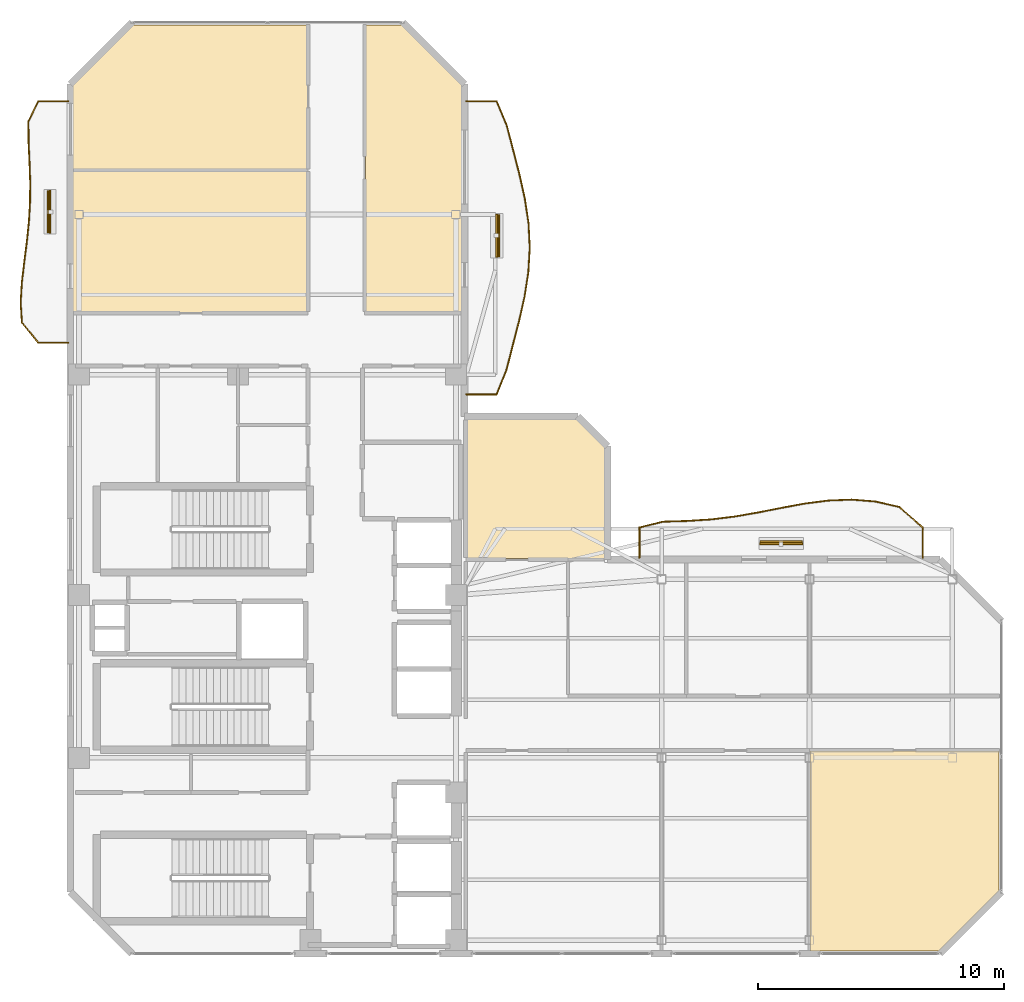
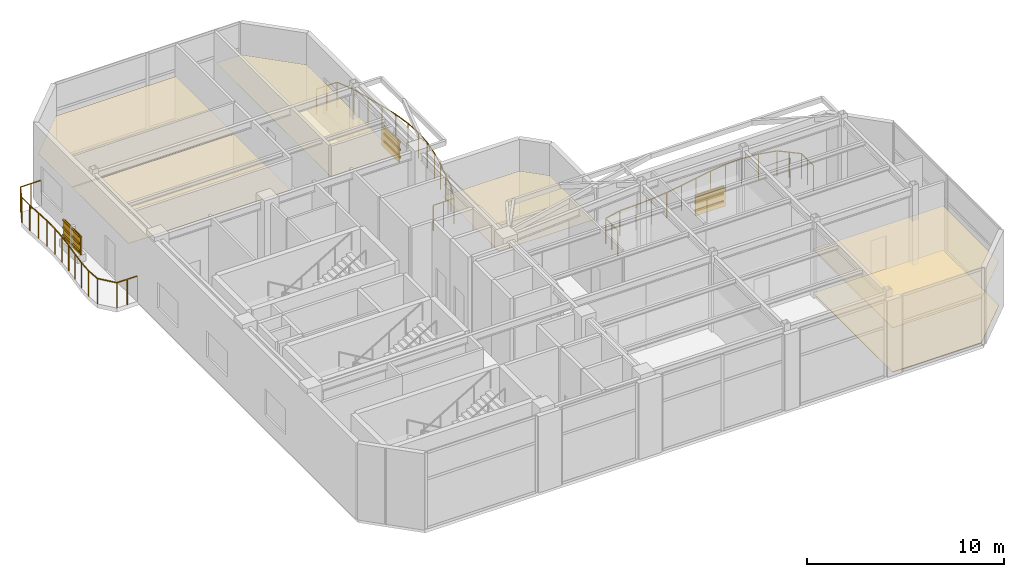
# One storey, part 15 of 15: 12 shading devices, 6 coverings, 3 railings.
"""IFC4 building model written with IfcOpenShell, lengths in metres."""

import ifcopenshell
import ifcopenshell.guid

model = None  # the IFC model being written
_history = None  # IfcOwnerHistory: only IFC2X3 demands one
_inside = {}  # id of a spatial element -> (the spatial element, [elements in it])
_under = {}  # id of a project, library or spatial element -> (it, [spatial elements below it])
_declared = {}  # id of a project -> (the project, [libraries it declares])
_typed = {}  # id of a type object -> (the type object, [elements of that type])
_made_of = {}  # id of a material, layer set ... -> (it, [elements and type objects made of it])


def new_model(schema):
    """Start an empty IFC model of exactly this schema.

    Asked for "IFC4X3", IfcOpenShell would pick the latest addendum, in which some entities
    have other attributes; the version numbers below select the first issue.
    IFC2X3 requires an IfcOwnerHistory on every rooted entity: one is made here for all.
    """
    global model, _history
    if schema == "IFC4X3":
        model = ifcopenshell.file(schema_version=(4, 3, 0, 0))
    else:
        model = ifcopenshell.file(schema=schema)
    _inside.clear()
    _under.clear()
    _declared.clear()
    _typed.clear()
    _made_of.clear()
    _history = None
    if model.schema == "IFC2X3":
        org = make("IfcOrganization", Name="unknown")
        user = make(
            "IfcPersonAndOrganization",
            ThePerson=make("IfcPerson", FamilyName="unknown"),
            TheOrganization=org,
        )
        app = make(
            "IfcApplication",
            ApplicationDeveloper=org,
            Version="unknown",
            ApplicationFullName="unknown",
            ApplicationIdentifier="unknown",
        )
        _history = make(
            "IfcOwnerHistory",
            OwningUser=user,
            OwningApplication=app,
            ChangeAction="ADDED",
            CreationDate=0,
        )
    return model


def make(cls, **values):
    """One entity of the class cls with the attributes given. An attribute that is None is left unset."""
    return model.create_entity(
        cls, **{name: value for name, value in values.items() if value is not None}
    )


def rooted(cls, **values):
    """An entity with a GlobalId (a new one), such as an element, a storey or a relation."""
    return make(cls, GlobalId=ifcopenshell.guid.new(), OwnerHistory=_history, **values)


def si_unit(unit_type, name, prefix=None):
    """IfcSIUnit, for example si_unit("LENGTHUNIT", "METRE", prefix="MILLI")."""
    return make("IfcSIUnit", UnitType=unit_type, Prefix=prefix, Name=name)


def assignment(units):
    """IfcUnitAssignment: the units of a project."""
    return None if units is None else make("IfcUnitAssignment", Units=units)


def point(xyz):
    """IfcCartesianPoint."""
    return None if xyz is None else make("IfcCartesianPoint", Coordinates=xyz)


def direction(xyz):
    """IfcDirection."""
    return None if xyz is None else make("IfcDirection", DirectionRatios=xyz)


def frame(location, z_axis=None, x_axis=None):
    """IfcAxis2Placement3D, a coordinate frame: its origin and axes. An axis left out is left unset."""
    return make(
        "IfcAxis2Placement3D",
        Location=point(location),
        Axis=direction(z_axis),
        RefDirection=direction(x_axis),
    )


def frame_2d(location, x_axis=None):
    """IfcAxis2Placement2D, a coordinate frame in the plane: its origin and x axis."""
    return make(
        "IfcAxis2Placement2D", Location=point(location), RefDirection=direction(x_axis)
    )


def origin():
    """The frame at (0, 0, 0) with its axes left unset."""
    return frame((0.0, 0.0, 0.0))


def origin_2d():
    """The frame at (0, 0) in the plane with its x axis left unset."""
    return frame_2d((0.0, 0.0))


def place(relative_to, where):
    """IfcLocalPlacement: puts the frame where relative to a parent placement (None: the world)."""
    return make(
        "IfcLocalPlacement", PlacementRelTo=relative_to, RelativePlacement=where
    )


def context(
    kind, dimensions, precision=None, world=None, true_north=None, identifier=None
):
    """IfcGeometricRepresentationContext, for example the 3D "Model" context."""
    return make(
        "IfcGeometricRepresentationContext",
        ContextIdentifier=identifier,
        ContextType=kind,
        CoordinateSpaceDimension=dimensions,
        Precision=precision,
        WorldCoordinateSystem=world,
        TrueNorth=true_north,
    )


def subcontext(parent, identifier, kind, view, scale=None):
    """IfcGeometricRepresentationSubContext, for example "Body" below "Model"."""
    return make(
        "IfcGeometricRepresentationSubContext",
        ContextIdentifier=identifier,
        ContextType=kind,
        ParentContext=parent,
        TargetScale=scale,
        TargetView=view,
    )


def project(units=None, contexts=None):
    """IfcProject with its units and contexts."""
    return rooted(
        "IfcProject",
        Name="project",
        RepresentationContexts=contexts,
        UnitsInContext=assignment(units),
    )


def spatial(cls, under=None, at=None, **own):
    """A site, building, storey or space (cls), placed at a placement, below another one or the project."""
    s = rooted(cls, ObjectPlacement=at, **own)
    if under is not None:
        _under.setdefault(under.id(), (under, []))[1].append(s)
    return s


def polyline(points):
    """IfcPolyline through the points."""
    return make("IfcPolyline", Points=[point(p) for p in points])


def profile(cls, at=None, kind="AREA", **sizes):
    """A parametric profile (cls). Its sizes go by their IFC names, for example OverallWidth=200.0."""
    return make(cls, ProfileType=kind, Position=at, **sizes)


def rectangle(**sizes):
    """IfcRectangleProfileDef."""
    return profile("IfcRectangleProfileDef", **sizes)


def outline(outer, holes=None, kind="AREA"):
    """IfcArbitraryClosedProfileDef: a profile drawn as a closed curve; with holes, ...WithVoids."""
    if holes is None:
        return make("IfcArbitraryClosedProfileDef", ProfileType=kind, OuterCurve=outer)
    return make(
        "IfcArbitraryProfileDefWithVoids",
        ProfileType=kind,
        OuterCurve=outer,
        InnerCurves=holes,
    )


def extrude(swept, where, along, depth):
    """IfcExtrudedAreaSolid: the profile swept, set in the frame where, extruded along a direction by depth."""
    return make(
        "IfcExtrudedAreaSolid",
        SweptArea=swept,
        Position=where,
        ExtrudedDirection=direction(along),
        Depth=depth,
    )


def shape(context_of_items, identifier, shape_type, items):
    """IfcShapeRepresentation: the items that make up one representation, for example the "Body"."""
    return make(
        "IfcShapeRepresentation",
        ContextOfItems=context_of_items,
        RepresentationIdentifier=identifier,
        RepresentationType=shape_type,
        Items=items,
    )


def material(Name=None, Category=None):
    """IfcMaterial."""
    return make("IfcMaterial", Name=Name, Category=Category)


def layer(
    of_material, thickness, ventilated=None, Name=None, Category=None, Priority=None
):
    """IfcMaterialLayer: one layer of a wall or slab, of a material (None: an air gap)."""
    return make(
        "IfcMaterialLayer",
        Material=of_material,
        LayerThickness=thickness,
        IsVentilated=ventilated,
        Name=Name,
        Category=Category,
        Priority=Priority,
    )


def layer_set(layers, Name=None):
    """IfcMaterialLayerSet."""
    return make("IfcMaterialLayerSet", MaterialLayers=layers, LayerSetName=Name)


def material_profile(
    of_material, cross_section, Name=None, Category=None, Priority=None
):
    """IfcMaterialProfile: a cross section and its material."""
    return make(
        "IfcMaterialProfile",
        Name=Name,
        Material=of_material,
        Profile=cross_section,
        Priority=Priority,
        Category=Category,
    )


def profile_set(profiles, Name=None, composite=None):
    """IfcMaterialProfileSet."""
    return make(
        "IfcMaterialProfileSet",
        Name=Name,
        MaterialProfiles=profiles,
        CompositeProfile=composite,
    )


def made_of(thing, what):
    """Note that an element or type object is made of a material, layer set ...; save() writes the relation."""
    if what is not None:
        _made_of.setdefault(what.id(), (what, []))[1].append(thing)
    return thing


def type_object(cls, material=None, **own):
    """A type object (cls), such as IfcWallType, which elements share."""
    return made_of(rooted(cls, **own), material)


def element(
    cls,
    number,
    at=None,
    inside=None,
    cuts=None,
    type_object=None,
    material=None,
    context=None,
    identifier="Body",
    shape_type=None,
    held_by="IfcProductDefinitionShape",
    body=None,
    shapes=None,
    **own,
):
    """One element of the class cls, such as IfcWall. Its Tag is "e" and its number.

    at: its placement. inside: the storey or other place that contains it. cuts: it is an
    opening in that element (IfcRelVoidsElement). A single representation is given by context,
    identifier, shape_type and body (its items); several are given by shapes. held_by: the class
    of the entity that holds the representations. save() writes the other relations.
    """
    e = rooted(cls, Tag="e%d" % number, ObjectPlacement=at, **own)
    if body is not None:
        shapes = [shape(context, identifier, shape_type, body)]
    if shapes is not None:
        e.Representation = make(held_by, Representations=shapes)
    if inside is not None:
        _inside.setdefault(inside.id(), (inside, []))[1].append(e)
    if cuts is not None:
        rooted(
            "IfcRelVoidsElement", RelatingBuildingElement=cuts, RelatedOpeningElement=e
        )
    if type_object is not None:
        _typed.setdefault(type_object.id(), (type_object, []))[1].append(e)
    return made_of(e, material)


def aggregate(whole, parts):
    """IfcRelAggregates: a whole, such as a stair, and the parts it consists of."""
    return rooted("IfcRelAggregates", RelatingObject=whole, RelatedObjects=parts)


def save(model, path):
    """Write the relations noted so far, then the file.

    IfcRelAggregates (storeys below a building ...), IfcRelContainedInSpatialStructure (elements
    in a storey), IfcRelDefinesByType, IfcRelAssociatesMaterial and IfcRelDeclares: one each for
    every whole, place, type object, material and project.
    """
    for whole, parts in _under.values():
        aggregate(whole, parts)
    for where, things in _inside.values():
        rooted(
            "IfcRelContainedInSpatialStructure",
            RelatedElements=things,
            RelatingStructure=where,
        )
    for kind, things in _typed.values():
        rooted("IfcRelDefinesByType", RelatedObjects=things, RelatingType=kind)
    for what, things in _made_of.values():
        rooted("IfcRelAssociatesMaterial", RelatedObjects=things, RelatingMaterial=what)
    for by, libraries in _declared.values():
        rooted("IfcRelDeclares", RelatingContext=by, RelatedDefinitions=libraries)
    model.write(path)


model = new_model("IFC4")

# Units and contexts
model_context = context("Model", 3, precision=1e-05, world=origin(), true_north=direction((0.0, 1.0)))
body_context = subcontext(model_context, "Body", "Model", "MODEL_VIEW")
ifc_project = project(units=[si_unit("LENGTHUNIT", "METRE"), si_unit("AREAUNIT", "SQUARE_METRE"), si_unit("VOLUMEUNIT", "CUBIC_METRE"), si_unit("PLANEANGLEUNIT", "RADIAN"), si_unit("MASSUNIT", "GRAM", prefix="KILO")], contexts=[model_context])

# Site, building, storey
site_placement = place(None, origin())
site = spatial("IfcSite", under=ifc_project, at=site_placement, CompositionType="ELEMENT")
building_placement = place(site_placement, origin())
building = spatial("IfcBuilding", under=site, at=building_placement, Name="Mawjaban Terraces University", CompositionType="ELEMENT")
storey_placement = place(building_placement, frame((0.0, 0.0, 306.699951171875)))
storey = spatial("IfcBuildingStorey", under=building, at=storey_placement, Name="L75", CompositionType="ELEMENT", Elevation=306.699951171875)

# Coverings
ifc_material_1 = material(Name="Acoustic mineral fibre ceiling tile", Category="masonry")
ifc_layer_1 = layer(ifc_material_1, 0.02001953125)
ifc_layer_set_1 = layer_set([ifc_layer_1], Name="Acoustic mineral fibre ceiling tile")
covering_type_1 = type_object("IfcCoveringType", Name="AcousticMineralCeiling_20", PredefinedType="CEILING", material=ifc_layer_set_1)
covering_1_placement = place(storey_placement, frame((0.0, 0.0, 2.75)))
element("IfcCovering", 1, at=covering_1_placement, inside=storey, type_object=covering_type_1, Name="L75 Panoramic Mecca Horizon Lookout Hall Acoustic Ceiling", PredefinedType="CEILING", context=body_context, shape_type="SweptSolid", body=[
    extrude(outline(polyline([(52.030029296875, 8.219970703125), (52.030029296875, 0.114990234375), (57.2529296875, 0.114990234375), (59.68505859375, 2.547119140625), (59.68505859375, 8.219970703125), (52.030029296875, 8.219970703125)])), origin(), (0.0, 0.0, 1.0), 0.02001953125),
])
covering_2_placement = place(storey_placement, frame((0.0, 0.0, 2.75)))
element("IfcCovering", 2, at=covering_2_placement, inside=storey, type_object=covering_type_1, Name="L75 Courtyard Viewpoint Study Gallery Acoustic Ceiling", PredefinedType="CEILING", context=body_context, shape_type="SweptSolid", body=[
    extrude(outline(polyline([(43.68505859375, 16.030029296875), (43.68505859375, 20.552978515625), (42.552978515625, 21.68505859375), (38.080078125, 21.68505859375), (38.080078125, 16.030029296875), (43.68505859375, 16.030029296875)])), origin(), (0.0, 0.0, 1.0), 0.02001953125),
])
covering_3_placement = place(storey_placement, frame((0.0, 0.0, 2.75)))
element("IfcCovering", 3, at=covering_3_placement, inside=storey, type_object=covering_type_1, Name="L75 Mecca Urbanism Exhibition Hall 1 Acoustic Ceiling", PredefinedType="CEILING", context=body_context, shape_type="SweptSolid", body=[
    extrude(outline(polyline([(22.114990234375, 31.77001953125), (22.114990234375, 26.030029296875), (31.6201171875, 26.030029296875), (31.6201171875, 31.77001953125), (22.114990234375, 31.77001953125)])), origin(), (0.0, 0.0, 1.0), 0.02001953125),
])
covering_4_placement = place(storey_placement, frame((0.0, 0.0, 2.75)))
element("IfcCovering", 4, at=covering_4_placement, inside=storey, type_object=covering_type_1, Name="L75 Architecture Heritage Gallery 2 Acoustic Ceiling", PredefinedType="CEILING", context=body_context, shape_type="SweptSolid", body=[
    extrude(outline(polyline([(31.6201171875, 37.68505859375), (24.547119140625, 37.68505859375), (22.114990234375, 35.2529296875), (22.114990234375, 31.830078125), (31.6201171875, 31.830078125), (31.6201171875, 37.68505859375)])), origin(), (0.0, 0.0, 1.0), 0.02001953125),
])
covering_5_placement = place(storey_placement, frame((0.0, 0.0, 2.75)))
element("IfcCovering", 5, at=covering_5_placement, inside=storey, type_object=covering_type_1, Name="L75 Observatory Curatorial Office Acoustic Ceiling", PredefinedType="CEILING", context=body_context, shape_type="SweptSolid", body=[
    extrude(outline(polyline([(37.885009765625, 26.030029296875), (37.885009765625, 35.2529296875), (35.452880859375, 37.68505859375), (33.97998046875, 37.68505859375), (33.97998046875, 26.030029296875), (37.885009765625, 26.030029296875)])), origin(), (0.0, 0.0, 1.0), 0.02001953125),
])

# Railings
ifc_material_2 = material(Name="Galvanised powder-coated steel S355", Category="steel")
railing_type = type_object("IfcRailingType", Name="BalconyBalustrade_1600", PredefinedType="BALUSTRADE", material=ifc_material_2)
railing_1_placement = place(storey_placement, frame((21.919921875, 24.800048828125, 0.0)))
element("IfcRailing", 6, at=railing_1_placement, inside=storey, type_object=railing_type, Name="L75 Balcony Guardrail west", PredefinedType="BALUSTRADE", context=body_context, shape_type="SweptSolid", body=[
    extrude(rectangle(XDim=0.048095703125, YDim=0.048095703125, at=origin_2d()), frame((0.0, 0.0, 1.576171875), z_axis=(-1.0, 0.0, 0.0), x_axis=(0.0, -1.0, 0.0)), (0.0, 0.0, 1.0), 1.219970703125),
    extrude(rectangle(XDim=0.048095703125, YDim=0.048095703125, at=origin_2d()), frame((-1.219970703125, 0.0, 1.576171875), z_axis=(-0.632455870978, 0.774596392494, 0.0), x_axis=(-0.774596392494, -0.632455870978, 0.0)), (0.0, 0.0, 1.0), 1.0546875),
    extrude(rectangle(XDim=0.048095703125, YDim=0.048095703125, at=origin_2d()), frame((-1.886962890625, 0.81689453125, 1.576171875), z_axis=(-0.063586288171, 0.997976344387, 0.0), x_axis=(-0.997976344387, -0.063586288171, 0.0)), (0.0, 0.0, 1.0), 0.81787109375),
    extrude(rectangle(XDim=0.048095703125, YDim=0.048095703125, at=origin_2d()), frame((-1.93896484375, 1.633056640625, 1.576171875), z_axis=(0.061152519077, 0.998128433324, 0.0), x_axis=(-0.998128433324, 0.061152519077, 0.0)), (0.0, 0.0, 1.0), 0.818359375),
    extrude(rectangle(XDim=0.048095703125, YDim=0.048095703125, at=origin_2d()), frame((-1.888916015625, 2.449951171875, 1.576171875), z_axis=(0.116651804912, 0.993172873376, 0.0), x_axis=(-0.993172873376, 0.116651804912, 0.0)), (0.0, 0.0, 1.0), 0.822509765625),
    extrude(rectangle(XDim=0.048095703125, YDim=0.048095703125, at=origin_2d()), frame((-1.79296875, 3.266845703125, 1.576171875), z_axis=(0.126408243371, 0.991978304202, 0.0), x_axis=(-0.991978304202, 0.126408243371, 0.0)), (0.0, 0.0, 1.0), 0.82275390625),
    extrude(rectangle(XDim=0.048095703125, YDim=0.048095703125, at=origin_2d()), frame((-1.68896484375, 4.0830078125, 1.576171875), z_axis=(0.103446794992, 0.994634988629, 0.0), x_axis=(-0.994634988629, 0.103446794992, 0.0)), (0.0, 0.0, 1.0), 0.8212890625),
    extrude(rectangle(XDim=0.048095703125, YDim=0.048095703125, at=origin_2d()), frame((-1.60400390625, 4.89990234375, 1.576171875), z_axis=(0.057567949493, 0.998341590434, 0.0), x_axis=(-0.998341590434, 0.057567949493, 0.0)), (0.0, 0.0, 1.0), 0.818603515625),
    extrude(rectangle(XDim=0.048095703125, YDim=0.048095703125, at=origin_2d()), frame((-1.556884765625, 5.717041015625, 1.576171875), z_axis=(0.007181143377, 0.999974215257, 0.0), x_axis=(-0.999974215257, 0.007181143377, 0.0)), (0.0, 0.0, 1.0), 0.81591796875),
    extrude(rectangle(XDim=0.048095703125, YDim=0.048095703125, at=origin_2d()), frame((-1.551025390625, 6.532958984375, 1.576171875), z_axis=(-0.035244079696, 0.999378734438, 0.0), x_axis=(-0.999378734438, -0.035244079696, 0.0)), (0.0, 0.0, 1.0), 0.8173828125),
    extrude(rectangle(XDim=0.048095703125, YDim=0.048095703125, at=origin_2d()), frame((-1.579833984375, 7.349853515625, 1.576171875), z_axis=(-0.04894038811, 0.998801701246, 0.0), x_axis=(-0.998801701246, -0.04894038811, 0.0)), (0.0, 0.0, 1.0), 0.818115234375),
    extrude(rectangle(XDim=0.048095703125, YDim=0.048095703125, at=origin_2d()), frame((-1.619873046875, 8.1669921875, 1.576171875), z_axis=(-0.003590641126, 0.999993553627, 0.0), x_axis=(-0.999993553627, -0.003590641126, 0.0)), (0.0, 0.0, 1.0), 0.81591796875),
    extrude(rectangle(XDim=0.048095703125, YDim=0.048095703125, at=origin_2d()), frame((-1.622802734375, 8.98291015625, 1.576171875), z_axis=(0.442168460361, 0.89693202232, 0.0), x_axis=(-0.89693202232, 0.442168460361, 0.0)), (0.0, 0.0, 1.0), 0.9111328125),
    extrude(rectangle(XDim=0.048095703125, YDim=0.048095703125, at=origin_2d()), frame((-1.219970703125, 9.800048828125, 1.576171875), z_axis=(1.0, 0.0, 0.0), x_axis=(0.0, 1.0, 0.0)), (0.0, 0.0, 1.0), 1.219970703125),
    extrude(rectangle(XDim=0.0419921875, YDim=0.0419921875, at=origin_2d()), origin(), (0.0, 0.0, 1.0), 1.552001953125),
    extrude(rectangle(XDim=0.0419921875, YDim=0.0419921875, at=origin_2d()), frame((-0.60986328125, 0.0, 0.0)), (0.0, 0.0, 1.0), 1.552001953125),
    extrude(rectangle(XDim=0.0419921875, YDim=0.0419921875, at=origin_2d()), frame((-1.219970703125, 0.0, 0.0)), (0.0, 0.0, 1.0), 1.552001953125),
    extrude(rectangle(XDim=0.0419921875, YDim=0.0419921875, at=origin_2d()), frame((-1.886962890625, 0.81689453125, 0.0)), (0.0, 0.0, 1.0), 1.552001953125),
    extrude(rectangle(XDim=0.0419921875, YDim=0.0419921875, at=origin_2d()), frame((-1.93896484375, 1.633056640625, 0.0)), (0.0, 0.0, 1.0), 1.552001953125),
    extrude(rectangle(XDim=0.0419921875, YDim=0.0419921875, at=origin_2d()), frame((-1.888916015625, 2.449951171875, 0.0)), (0.0, 0.0, 1.0), 1.552001953125),
    extrude(rectangle(XDim=0.0419921875, YDim=0.0419921875, at=origin_2d()), frame((-1.79296875, 3.266845703125, 0.0)), (0.0, 0.0, 1.0), 1.552001953125),
    extrude(rectangle(XDim=0.0419921875, YDim=0.0419921875, at=origin_2d()), frame((-1.68896484375, 4.0830078125, 0.0)), (0.0, 0.0, 1.0), 1.552001953125),
    extrude(rectangle(XDim=0.0419921875, YDim=0.0419921875, at=origin_2d()), frame((-1.60400390625, 4.89990234375, 0.0)), (0.0, 0.0, 1.0), 1.552001953125),
    extrude(rectangle(XDim=0.0419921875, YDim=0.0419921875, at=origin_2d()), frame((-1.556884765625, 5.717041015625, 0.0)), (0.0, 0.0, 1.0), 1.552001953125),
    extrude(rectangle(XDim=0.0419921875, YDim=0.0419921875, at=origin_2d()), frame((-1.551025390625, 6.532958984375, 0.0)), (0.0, 0.0, 1.0), 1.552001953125),
    extrude(rectangle(XDim=0.0419921875, YDim=0.0419921875, at=origin_2d()), frame((-1.579833984375, 7.349853515625, 0.0)), (0.0, 0.0, 1.0), 1.552001953125),
    extrude(rectangle(XDim=0.0419921875, YDim=0.0419921875, at=origin_2d()), frame((-1.619873046875, 8.1669921875, 0.0)), (0.0, 0.0, 1.0), 1.552001953125),
    extrude(rectangle(XDim=0.0419921875, YDim=0.0419921875, at=origin_2d()), frame((-1.622802734375, 8.98291015625, 0.0)), (0.0, 0.0, 1.0), 1.552001953125),
    extrude(rectangle(XDim=0.0419921875, YDim=0.0419921875, at=origin_2d()), frame((-1.219970703125, 9.800048828125, 0.0)), (0.0, 0.0, 1.0), 1.552001953125),
    extrude(rectangle(XDim=0.0419921875, YDim=0.0419921875, at=origin_2d()), frame((-0.60986328125, 9.800048828125, 0.0)), (0.0, 0.0, 1.0), 1.552001953125),
    extrude(rectangle(XDim=0.0419921875, YDim=0.0419921875, at=origin_2d()), frame((0.0, 9.800048828125, 0.0)), (0.0, 0.0, 1.0), 1.552001953125),
])
railing_2_placement = place(storey_placement, frame((45.10009765625, 16.080078125, 0.0)))
element("IfcRailing", 7, at=railing_2_placement, inside=storey, type_object=railing_type, Name="L75 Balcony Guardrail inner_north", PredefinedType="BALUSTRADE", context=body_context, shape_type="SweptSolid", body=[
    extrude(rectangle(XDim=0.048095703125, YDim=0.048095703125, at=origin_2d()), frame((0.0, 0.0, 1.576171875), z_axis=(0.0, 1.0, 0.0), x_axis=(-1.0, 0.0, 0.0)), (0.0, 0.0, 1.0), 1.219970703125),
    extrude(rectangle(XDim=0.048095703125, YDim=0.048095703125, at=origin_2d()), frame((0.0, 1.219970703125, 1.576171875), z_axis=(0.971009577293, 0.239040584013, 0.0), x_axis=(-0.239040584013, 0.971009577293, 0.0)), (0.0, 0.0, 1.0), 0.986572265625),
    extrude(rectangle(XDim=0.048095703125, YDim=0.048095703125, at=origin_2d()), frame((0.9580078125, 1.455810546875, 1.576171875), z_axis=(0.99954141257, 0.030281422631, 0.0), x_axis=(-0.030281422631, 0.99954141257, 0.0)), (0.0, 0.0, 1.0), 0.95947265625),
    extrude(rectangle(XDim=0.048095703125, YDim=0.048095703125, at=origin_2d()), frame((1.9169921875, 1.48486328125, 1.576171875), z_axis=(0.998040684472, 0.062568299791, 0.0), x_axis=(-0.062568299791, 0.998040684472, 0.0)), (0.0, 0.0, 1.0), 0.9599609375),
    extrude(rectangle(XDim=0.048095703125, YDim=0.048095703125, at=origin_2d()), frame((2.875, 1.544921875, 1.576171875), z_axis=(0.992873246187, 0.119175152639, 0.0), x_axis=(-0.119175152639, 0.992873246187, 0.0)), (0.0, 0.0, 1.0), 0.96484375),
    extrude(rectangle(XDim=0.048095703125, YDim=0.048095703125, at=origin_2d()), frame((3.8330078125, 1.659912109375, 1.576171875), z_axis=(0.985512218227, 0.169604444888, 0.0), x_axis=(-0.169604444888, 0.985512218227, 0.0)), (0.0, 0.0, 1.0), 0.97314453125),
    extrude(rectangle(XDim=0.048095703125, YDim=0.048095703125, at=origin_2d()), frame((4.7919921875, 1.824951171875, 1.576171875), z_axis=(0.981096520118, 0.193519038372, 0.0), x_axis=(-0.193519038372, 0.981096520118, 0.0)), (0.0, 0.0, 1.0), 0.9765625),
    extrude(rectangle(XDim=0.048095703125, YDim=0.048095703125, at=origin_2d()), frame((5.75, 2.013916015625, 1.576171875), z_axis=(0.983356703405, 0.181685425578, 0.0), x_axis=(-0.181685425578, 0.983356703405, 0.0)), (0.0, 0.0, 1.0), 0.97412109375),
    extrude(rectangle(XDim=0.048095703125, YDim=0.048095703125, at=origin_2d()), frame((6.7080078125, 2.19091796875, 1.576171875), z_axis=(0.991740611713, 0.128259732879, 0.0), x_axis=(-0.128259732879, 0.991740611713, 0.0)), (0.0, 0.0, 1.0), 0.967041015625),
    extrude(rectangle(XDim=0.048095703125, YDim=0.048095703125, at=origin_2d()), frame((7.6669921875, 2.31494140625, 1.576171875), z_axis=(0.99926042214, 0.038452681892, 0.0), x_axis=(-0.038452681892, 0.99926042214, 0.0)), (0.0, 0.0, 1.0), 0.958740234375),
    extrude(rectangle(XDim=0.048095703125, YDim=0.048095703125, at=origin_2d()), frame((8.625, 2.351806640625, 1.576171875), z_axis=(0.996711883183, -0.081027291217, 0.0), x_axis=(0.081027291217, 0.996711883183, 0.0)), (0.0, 0.0, 1.0), 0.961181640625),
    extrude(rectangle(XDim=0.048095703125, YDim=0.048095703125, at=origin_2d()), frame((9.5830078125, 2.27392578125, 1.576171875), z_axis=(0.974687275696, -0.223572615937, 0.0), x_axis=(0.223572615937, 0.974687275696, 0.0)), (0.0, 0.0, 1.0), 0.98388671875),
    extrude(rectangle(XDim=0.048095703125, YDim=0.048095703125, at=origin_2d()), frame((10.5419921875, 2.053955078125, 1.576171875), z_axis=(0.754241257704, -0.656597384382, 0.0), x_axis=(0.656597384382, 0.754241257704, 0.0)), (0.0, 0.0, 1.0), 1.270263671875),
    extrude(rectangle(XDim=0.048095703125, YDim=0.048095703125, at=origin_2d()), frame((11.5, 1.219970703125, 1.576171875), z_axis=(0.0, -1.0, 0.0), x_axis=(1.0, 0.0, 0.0)), (0.0, 0.0, 1.0), 1.219970703125),
    extrude(rectangle(XDim=0.0419921875, YDim=0.0419921875, at=origin_2d()), origin(), (0.0, 0.0, 1.0), 1.552001953125),
    extrude(rectangle(XDim=0.0419921875, YDim=0.0419921875, at=origin_2d()), frame((0.0, 0.60986328125, 0.0)), (0.0, 0.0, 1.0), 1.552001953125),
    extrude(rectangle(XDim=0.0419921875, YDim=0.0419921875, at=origin_2d()), frame((0.0, 1.219970703125, 0.0)), (0.0, 0.0, 1.0), 1.552001953125),
    extrude(rectangle(XDim=0.0419921875, YDim=0.0419921875, at=origin_2d()), frame((0.9580078125, 1.455810546875, 0.0)), (0.0, 0.0, 1.0), 1.552001953125),
    extrude(rectangle(XDim=0.0419921875, YDim=0.0419921875, at=origin_2d()), frame((1.9169921875, 1.48486328125, 0.0)), (0.0, 0.0, 1.0), 1.552001953125),
    extrude(rectangle(XDim=0.0419921875, YDim=0.0419921875, at=origin_2d()), frame((2.875, 1.544921875, 0.0)), (0.0, 0.0, 1.0), 1.552001953125),
    extrude(rectangle(XDim=0.0419921875, YDim=0.0419921875, at=origin_2d()), frame((3.8330078125, 1.659912109375, 0.0)), (0.0, 0.0, 1.0), 1.552001953125),
    extrude(rectangle(XDim=0.0419921875, YDim=0.0419921875, at=origin_2d()), frame((4.7919921875, 1.824951171875, 0.0)), (0.0, 0.0, 1.0), 1.552001953125),
    extrude(rectangle(XDim=0.0419921875, YDim=0.0419921875, at=origin_2d()), frame((5.75, 2.013916015625, 0.0)), (0.0, 0.0, 1.0), 1.552001953125),
    extrude(rectangle(XDim=0.0419921875, YDim=0.0419921875, at=origin_2d()), frame((6.7080078125, 2.19091796875, 0.0)), (0.0, 0.0, 1.0), 1.552001953125),
    extrude(rectangle(XDim=0.0419921875, YDim=0.0419921875, at=origin_2d()), frame((7.6669921875, 2.31494140625, 0.0)), (0.0, 0.0, 1.0), 1.552001953125),
    extrude(rectangle(XDim=0.0419921875, YDim=0.0419921875, at=origin_2d()), frame((8.625, 2.351806640625, 0.0)), (0.0, 0.0, 1.0), 1.552001953125),
    extrude(rectangle(XDim=0.0419921875, YDim=0.0419921875, at=origin_2d()), frame((9.5830078125, 2.27392578125, 0.0)), (0.0, 0.0, 1.0), 1.552001953125),
    extrude(rectangle(XDim=0.0419921875, YDim=0.0419921875, at=origin_2d()), frame((10.5419921875, 2.053955078125, 0.0)), (0.0, 0.0, 1.0), 1.552001953125),
    extrude(rectangle(XDim=0.0419921875, YDim=0.0419921875, at=origin_2d()), frame((11.02099609375, 1.636962890625, 0.0)), (0.0, 0.0, 1.0), 1.552001953125),
    extrude(rectangle(XDim=0.0419921875, YDim=0.0419921875, at=origin_2d()), frame((11.5, 1.219970703125, 0.0)), (0.0, 0.0, 1.0), 1.552001953125),
    extrude(rectangle(XDim=0.0419921875, YDim=0.0419921875, at=origin_2d()), frame((11.5, 0.60986328125, 0.0)), (0.0, 0.0, 1.0), 1.552001953125),
    extrude(rectangle(XDim=0.0419921875, YDim=0.0419921875, at=origin_2d()), frame((11.5, 0.0, 0.0)), (0.0, 0.0, 1.0), 1.552001953125),
])
railing_3_placement = place(storey_placement, frame((38.080078125, 22.699951171875, 0.0)))
element("IfcRailing", 8, at=railing_3_placement, inside=storey, type_object=railing_type, Name="L75 Balcony Guardrail inner_east", PredefinedType="BALUSTRADE", context=body_context, shape_type="SweptSolid", body=[
    extrude(rectangle(XDim=0.048095703125, YDim=0.048095703125, at=origin_2d()), frame((0.0, 0.0, 1.576171875), z_axis=(1.0, 0.0, 0.0), x_axis=(0.0, 1.0, 0.0)), (0.0, 0.0, 1.0), 1.219970703125),
    extrude(rectangle(XDim=0.048095703125, YDim=0.048095703125, at=origin_2d()), frame((1.219970703125, 0.0, 1.576171875), z_axis=(0.377238963266, 0.926115956344, 0.0), x_axis=(-0.926115956344, 0.377238963266, 0.0)), (0.0, 0.0, 1.0), 1.071044921875),
    extrude(rectangle(XDim=0.048095703125, YDim=0.048095703125, at=origin_2d()), frame((1.6240234375, 0.991943359375, 1.576171875), z_axis=(0.249041039811, 0.968492932597, 0.0), x_axis=(-0.968492932597, 0.249041039811, 0.0)), (0.0, 0.0, 1.0), 1.0234375),
    extrude(rectangle(XDim=0.048095703125, YDim=0.048095703125, at=origin_2d()), frame((1.87890625, 1.983154296875, 1.576171875), z_axis=(0.249986128371, 0.968249418085, 0.0), x_axis=(-0.968249418085, 0.249986128371, 0.0)), (0.0, 0.0, 1.0), 1.0244140625),
    extrude(rectangle(XDim=0.048095703125, YDim=0.048095703125, at=origin_2d()), frame((2.135009765625, 2.97509765625, 1.576171875), z_axis=(0.219243623712, 0.975670145829, 0.0), x_axis=(-0.975670145829, 0.219243623712, 0.0)), (0.0, 0.0, 1.0), 1.0166015625),
    extrude(rectangle(XDim=0.048095703125, YDim=0.048095703125, at=origin_2d()), frame((2.35791015625, 3.967041015625, 1.576171875), z_axis=(0.153611929362, 0.988131254013, 0.0), x_axis=(-0.988131254013, 0.153611929362, 0.0)), (0.0, 0.0, 1.0), 1.0029296875),
    extrude(rectangle(XDim=0.048095703125, YDim=0.048095703125, at=origin_2d()), frame((2.511962890625, 4.9580078125, 1.576171875), z_axis=(0.058232297615, 0.998303059954, 0.0), x_axis=(-0.998303059954, 0.058232297615, 0.0)), (0.0, 0.0, 1.0), 0.99365234375),
    extrude(rectangle(XDim=0.048095703125, YDim=0.048095703125, at=origin_2d()), frame((2.56982421875, 5.949951171875, 1.576171875), z_axis=(-0.050133728557, 0.998742513995, 0.0), x_axis=(-0.998742513995, -0.050133728557, 0.0)), (0.0, 0.0, 1.0), 0.993408203125),
    extrude(rectangle(XDim=0.048095703125, YDim=0.048095703125, at=origin_2d()), frame((2.52001953125, 6.942138671875, 1.576171875), z_axis=(-0.147899592401, 0.989002381477, 0.0), x_axis=(-0.989002381477, -0.147899592401, 0.0)), (0.0, 0.0, 1.0), 1.001953125),
    extrude(rectangle(XDim=0.048095703125, YDim=0.048095703125, at=origin_2d()), frame((2.371826171875, 7.93310546875, 1.576171875), z_axis=(-0.217413729872, 0.976079540849, 0.0), x_axis=(-0.976079540849, -0.217413729872, 0.0)), (0.0, 0.0, 1.0), 1.016357421875),
    extrude(rectangle(XDim=0.048095703125, YDim=0.048095703125, at=origin_2d()), frame((2.15087890625, 8.925048828125, 1.576171875), z_axis=(-0.249762692082, 0.968307078175, 0.0), x_axis=(-0.968307078175, -0.249762692082, 0.0)), (0.0, 0.0, 1.0), 1.0244140625),
    extrude(rectangle(XDim=0.048095703125, YDim=0.048095703125, at=origin_2d()), frame((1.89501953125, 9.9169921875, 1.576171875), z_axis=(-0.252897316076, 0.96749312531, 0.0), x_axis=(-0.96749312531, -0.252897316076, 0.0)), (0.0, 0.0, 1.0), 1.024169921875),
    extrude(rectangle(XDim=0.048095703125, YDim=0.048095703125, at=origin_2d()), frame((1.635986328125, 10.907958984375, 1.576171875), z_axis=(-0.386676873106, 0.922215265437, 0.0), x_axis=(-0.922215265437, -0.386676873106, 0.0)), (0.0, 0.0, 1.0), 1.075927734375),
    extrude(rectangle(XDim=0.048095703125, YDim=0.048095703125, at=origin_2d()), frame((1.219970703125, 11.900146484375, 1.576171875), z_axis=(-1.0, 0.0, 0.0), x_axis=(0.0, -1.0, 0.0)), (0.0, 0.0, 1.0), 1.219970703125),
    extrude(rectangle(XDim=0.0419921875, YDim=0.0419921875, at=origin_2d()), origin(), (0.0, 0.0, 1.0), 1.552001953125),
    extrude(rectangle(XDim=0.0419921875, YDim=0.0419921875, at=origin_2d()), frame((0.60986328125, 0.0, 0.0)), (0.0, 0.0, 1.0), 1.552001953125),
    extrude(rectangle(XDim=0.0419921875, YDim=0.0419921875, at=origin_2d()), frame((1.219970703125, 0.0, 0.0)), (0.0, 0.0, 1.0), 1.552001953125),
    extrude(rectangle(XDim=0.0419921875, YDim=0.0419921875, at=origin_2d()), frame((1.6240234375, 0.991943359375, 0.0)), (0.0, 0.0, 1.0), 1.552001953125),
    extrude(rectangle(XDim=0.0419921875, YDim=0.0419921875, at=origin_2d()), frame((1.87890625, 1.983154296875, 0.0)), (0.0, 0.0, 1.0), 1.552001953125),
    extrude(rectangle(XDim=0.0419921875, YDim=0.0419921875, at=origin_2d()), frame((2.135009765625, 2.97509765625, 0.0)), (0.0, 0.0, 1.0), 1.552001953125),
    extrude(rectangle(XDim=0.0419921875, YDim=0.0419921875, at=origin_2d()), frame((2.35791015625, 3.967041015625, 0.0)), (0.0, 0.0, 1.0), 1.552001953125),
    extrude(rectangle(XDim=0.0419921875, YDim=0.0419921875, at=origin_2d()), frame((2.511962890625, 4.9580078125, 0.0)), (0.0, 0.0, 1.0), 1.552001953125),
    extrude(rectangle(XDim=0.0419921875, YDim=0.0419921875, at=origin_2d()), frame((2.56982421875, 5.949951171875, 0.0)), (0.0, 0.0, 1.0), 1.552001953125),
    extrude(rectangle(XDim=0.0419921875, YDim=0.0419921875, at=origin_2d()), frame((2.52001953125, 6.942138671875, 0.0)), (0.0, 0.0, 1.0), 1.552001953125),
    extrude(rectangle(XDim=0.0419921875, YDim=0.0419921875, at=origin_2d()), frame((2.371826171875, 7.93310546875, 0.0)), (0.0, 0.0, 1.0), 1.552001953125),
    extrude(rectangle(XDim=0.0419921875, YDim=0.0419921875, at=origin_2d()), frame((2.15087890625, 8.925048828125, 0.0)), (0.0, 0.0, 1.0), 1.552001953125),
    extrude(rectangle(XDim=0.0419921875, YDim=0.0419921875, at=origin_2d()), frame((1.89501953125, 9.9169921875, 0.0)), (0.0, 0.0, 1.0), 1.552001953125),
    extrude(rectangle(XDim=0.0419921875, YDim=0.0419921875, at=origin_2d()), frame((1.635986328125, 10.907958984375, 0.0)), (0.0, 0.0, 1.0), 1.552001953125),
    extrude(rectangle(XDim=0.0419921875, YDim=0.0419921875, at=origin_2d()), frame((1.219970703125, 11.900146484375, 0.0)), (0.0, 0.0, 1.0), 1.552001953125),
    extrude(rectangle(XDim=0.0419921875, YDim=0.0419921875, at=origin_2d()), frame((0.60986328125, 11.900146484375, 0.0)), (0.0, 0.0, 1.0), 1.552001953125),
    extrude(rectangle(XDim=0.0419921875, YDim=0.0419921875, at=origin_2d()), frame((0.0, 11.900146484375, 0.0)), (0.0, 0.0, 1.0), 1.552001953125),
])

# Shading devices
ifc_material_3 = material(Name="Glazed architectural terracotta ceramic", Category="masonry")
ifc_material_profile = material_profile(ifc_material_3, rectangle(XDim=0.06494140625, YDim=0.110107421875, at=origin_2d()), Name="TBAG110X65")
ifc_profile_set = profile_set([ifc_material_profile], Name="Glazed architectural terracotta ceramic")
shading_device_type_1 = type_object("IfcShadingDeviceType", Name="TerracottaBaguette_110x65", PredefinedType="USERDEFINED", material=ifc_profile_set)
for number, where, z_axis, x_axis, name in (
    (9, (21.090087890625, 29.258056640625, 0.679931640625), (0.0, 1.0, 0.0), (-1.0, 0.0, 0.0), "L75 Horizontal Terracotta Baguette west.1"),
    (10, (21.090087890625, 29.258056640625, 1.150146484375), (0.0, 1.0, 0.0), (-1.0, 0.0, 0.0), "L75 Horizontal Terracotta Baguette west.2"),
    (11, (21.090087890625, 29.258056640625, 1.6201171875), (0.0, 1.0, 0.0), (-1.0, 0.0, 0.0), "L75 Horizontal Terracotta Baguette west.3"),
    (12, (50.0, 16.72998046875, 0.679931640625), (1.0, 0.0, 0.0), (0.0, 1.0, 0.0), "L75 Horizontal Terracotta Baguette inner_north.1"),
    (13, (50.0, 16.72998046875, 1.150146484375), (1.0, 0.0, 0.0), (0.0, 1.0, 0.0), "L75 Horizontal Terracotta Baguette inner_north.2"),
    (14, (50.0, 16.72998046875, 1.6201171875), (1.0, 0.0, 0.0), (0.0, 1.0, 0.0), "L75 Horizontal Terracotta Baguette inner_north.3"),
):
    element("IfcShadingDevice", number, at=place(storey_placement, frame(where, z_axis=z_axis, x_axis=x_axis)), inside=storey, type_object=shading_device_type_1, Name=name, ObjectType="BAGUETTE", PredefinedType="USERDEFINED", context=body_context, shape_type="SweptSolid", body=[
        extrude(rectangle(XDim=0.06494140625, YDim=0.110107421875, at=origin_2d()), origin(), (0.0, 0.0, 1.0), 1.699951171875),
    ])
for number, where, z_axis, x_axis, name in (
    (15, (39.39306640625, 28.2958984375, 0.679931640625), (0.0, 1.0, 0.0), (-1.0, 0.0, 0.0), "L75 Horizontal Terracotta Baguette inner_east.1"),
    (16, (39.39306640625, 28.2958984375, 1.150146484375), (0.0, 1.0, 0.0), (-1.0, 0.0, 0.0), "L75 Horizontal Terracotta Baguette inner_east.2"),
    (17, (39.39306640625, 28.2958984375, 1.6201171875), (0.0, 1.0, 0.0), (-1.0, 0.0, 0.0), "L75 Horizontal Terracotta Baguette inner_east.3"),
):
    element("IfcShadingDevice", number, at=place(storey_placement, frame(where, z_axis=z_axis, x_axis=x_axis)), inside=storey, type_object=shading_device_type_1, Name=name, ObjectType="BAGUETTE", PredefinedType="USERDEFINED", context=body_context, shape_type="SweptSolid", body=[
        extrude(rectangle(XDim=0.06494140625, YDim=0.110107421875, at=origin_2d()), origin(), (0.0, 0.0, 1.0), 1.7001953125),
    ])
ifc_layer_2 = layer(ifc_material_3, 0.080078125)
ifc_layer_set_2 = layer_set([ifc_layer_2], Name="Glazed architectural terracotta ceramic")
shading_device_type_2 = type_object("IfcShadingDeviceType", Name="TerracottaScreen_Perforated", PredefinedType="USERDEFINED", material=ifc_layer_set_2)
for number, where, z_axis, x_axis, name in (
    (18, (21.175048828125, 30.10791015625, 0.440185546875), (0.0, 0.0, 1.0), (0.0, 1.0, 0.0), "L75 Balcony Perforated Terracotta Screen west"),
    (19, (50.85009765625, 16.64501953125, 0.440185546875), (0.0, 0.0, 1.0), (1.0, 0.0, 0.0), "L75 Balcony Perforated Terracotta Screen inner_north"),
    (20, (39.30810546875, 29.14599609375, 0.440185546875), (0.0, 0.0, 1.0), (0.0, 1.0, 0.0), "L75 Balcony Perforated Terracotta Screen inner_east"),
):
    element("IfcShadingDevice", number, at=place(storey_placement, frame(where, z_axis=z_axis, x_axis=x_axis)), inside=storey, type_object=shading_device_type_2, Name=name, ObjectType="SCREEN", PredefinedType="USERDEFINED", context=body_context, shape_type="SweptSolid", body=[
        extrude(rectangle(XDim=1.75, YDim=0.080078125, at=origin_2d()), origin(), (0.0, 0.0, 1.0), 1.14990234375),
    ])

# Covering
ifc_material_4 = material(Name="Polished Hijazi granite terrazzo flooring", Category="masonry")
ifc_layer_3 = layer(ifc_material_4, 0.02490234375)
ifc_layer_set_3 = layer_set([ifc_layer_3], Name="Polished Hijazi granite terrazzo flooring")
covering_type_2 = type_object("IfcCoveringType", Name="TerrazzoConcourseFlooring_25", PredefinedType="FLOORING", material=ifc_layer_set_3)
covering_6_placement = place(storey_placement, origin())
element("IfcCovering", 21, at=covering_6_placement, inside=storey, type_object=covering_type_2, Name="L75 Panoramic Mecca Horizon Lookout Hall Terrazzo Flooring", PredefinedType="FLOORING", context=body_context, shape_type="SweptSolid", body=[
    extrude(outline(polyline([(52.030029296875, 8.219970703125), (52.030029296875, 0.114990234375), (57.2529296875, 0.114990234375), (59.68505859375, 2.547119140625), (59.68505859375, 8.219970703125), (52.030029296875, 8.219970703125)])), origin(), (0.0, 0.0, 1.0), 0.025146484375),
])

save(model, "model.ifc")
